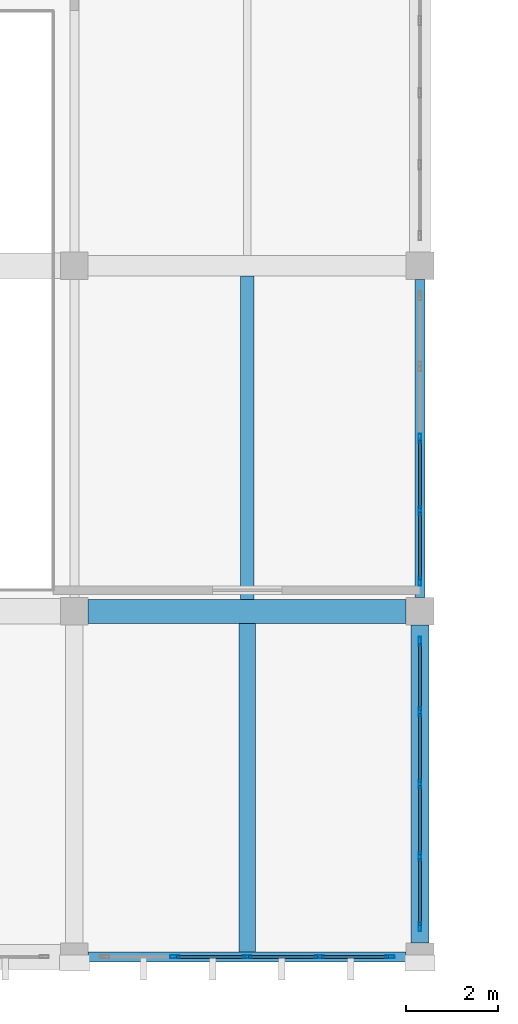
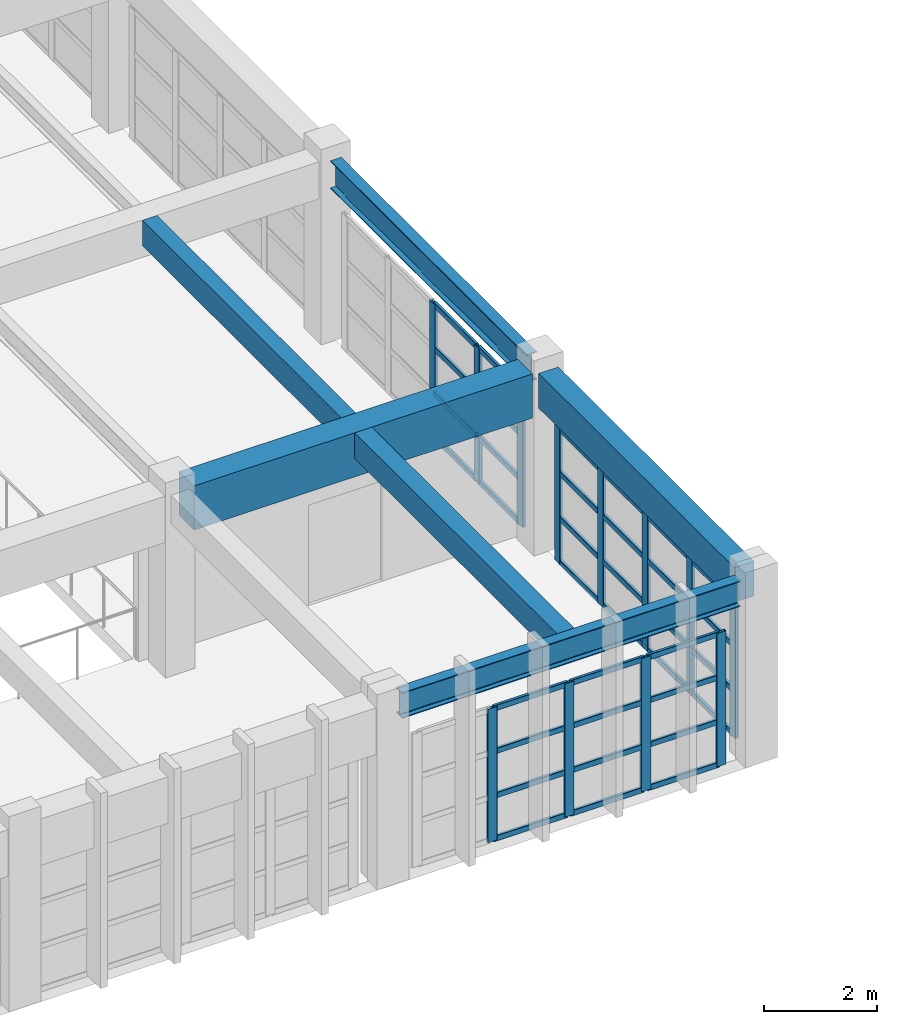
# One storey, part 7 of 124: 48 members, 6 beams, 3 elements without a shape of their own.
"""IFC4 building model written with IfcOpenShell, lengths in metres."""

import ifcopenshell
import ifcopenshell.guid

model = None  # the IFC model being written
_history = None  # IfcOwnerHistory: only IFC2X3 demands one
_inside = {}  # id of a spatial element -> (the spatial element, [elements in it])
_under = {}  # id of a project, library or spatial element -> (it, [spatial elements below it])
_declared = {}  # id of a project -> (the project, [libraries it declares])
_typed = {}  # id of a type object -> (the type object, [elements of that type])
_made_of = {}  # id of a material, layer set ... -> (it, [elements and type objects made of it])


def new_model(schema):
    """Start an empty IFC model of exactly this schema.

    Asked for "IFC4X3", IfcOpenShell would pick the latest addendum, in which some entities
    have other attributes; the version numbers below select the first issue.
    IFC2X3 requires an IfcOwnerHistory on every rooted entity: one is made here for all.
    """
    global model, _history
    if schema == "IFC4X3":
        model = ifcopenshell.file(schema_version=(4, 3, 0, 0))
    else:
        model = ifcopenshell.file(schema=schema)
    _inside.clear()
    _under.clear()
    _declared.clear()
    _typed.clear()
    _made_of.clear()
    _history = None
    if model.schema == "IFC2X3":
        org = make("IfcOrganization", Name="unknown")
        user = make(
            "IfcPersonAndOrganization",
            ThePerson=make("IfcPerson", FamilyName="unknown"),
            TheOrganization=org,
        )
        app = make(
            "IfcApplication",
            ApplicationDeveloper=org,
            Version="unknown",
            ApplicationFullName="unknown",
            ApplicationIdentifier="unknown",
        )
        _history = make(
            "IfcOwnerHistory",
            OwningUser=user,
            OwningApplication=app,
            ChangeAction="ADDED",
            CreationDate=0,
        )
    return model


def make(cls, **values):
    """One entity of the class cls with the attributes given. An attribute that is None is left unset."""
    return model.create_entity(
        cls, **{name: value for name, value in values.items() if value is not None}
    )


def rooted(cls, **values):
    """An entity with a GlobalId (a new one), such as an element, a storey or a relation."""
    return make(cls, GlobalId=ifcopenshell.guid.new(), OwnerHistory=_history, **values)


def si_unit(unit_type, name, prefix=None):
    """IfcSIUnit, for example si_unit("LENGTHUNIT", "METRE", prefix="MILLI")."""
    return make("IfcSIUnit", UnitType=unit_type, Prefix=prefix, Name=name)


def assignment(units):
    """IfcUnitAssignment: the units of a project."""
    return None if units is None else make("IfcUnitAssignment", Units=units)


def point(xyz):
    """IfcCartesianPoint."""
    return None if xyz is None else make("IfcCartesianPoint", Coordinates=xyz)


def direction(xyz):
    """IfcDirection."""
    return None if xyz is None else make("IfcDirection", DirectionRatios=xyz)


def frame(location, z_axis=None, x_axis=None):
    """IfcAxis2Placement3D, a coordinate frame: its origin and axes. An axis left out is left unset."""
    return make(
        "IfcAxis2Placement3D",
        Location=point(location),
        Axis=direction(z_axis),
        RefDirection=direction(x_axis),
    )


def frame_2d(location, x_axis=None):
    """IfcAxis2Placement2D, a coordinate frame in the plane: its origin and x axis."""
    return make(
        "IfcAxis2Placement2D", Location=point(location), RefDirection=direction(x_axis)
    )


def origin():
    """The frame at (0, 0, 0) with its axes left unset."""
    return frame((0.0, 0.0, 0.0))


def origin_2d():
    """The frame at (0, 0) in the plane with its x axis left unset."""
    return frame_2d((0.0, 0.0))


def place(relative_to, where):
    """IfcLocalPlacement: puts the frame where relative to a parent placement (None: the world)."""
    return make(
        "IfcLocalPlacement", PlacementRelTo=relative_to, RelativePlacement=where
    )


def context(
    kind, dimensions, precision=None, world=None, true_north=None, identifier=None
):
    """IfcGeometricRepresentationContext, for example the 3D "Model" context."""
    return make(
        "IfcGeometricRepresentationContext",
        ContextIdentifier=identifier,
        ContextType=kind,
        CoordinateSpaceDimension=dimensions,
        Precision=precision,
        WorldCoordinateSystem=world,
        TrueNorth=true_north,
    )


def subcontext(parent, identifier, kind, view, scale=None):
    """IfcGeometricRepresentationSubContext, for example "Body" below "Model"."""
    return make(
        "IfcGeometricRepresentationSubContext",
        ContextIdentifier=identifier,
        ContextType=kind,
        ParentContext=parent,
        TargetScale=scale,
        TargetView=view,
    )


def project(units=None, contexts=None):
    """IfcProject with its units and contexts."""
    return rooted(
        "IfcProject",
        Name="project",
        RepresentationContexts=contexts,
        UnitsInContext=assignment(units),
    )


def spatial(cls, under=None, at=None, **own):
    """A site, building, storey or space (cls), placed at a placement, below another one or the project."""
    s = rooted(cls, ObjectPlacement=at, **own)
    if under is not None:
        _under.setdefault(under.id(), (under, []))[1].append(s)
    return s


def profile(cls, at=None, kind="AREA", **sizes):
    """A parametric profile (cls). Its sizes go by their IFC names, for example OverallWidth=200.0."""
    return make(cls, ProfileType=kind, Position=at, **sizes)


def rectangle(**sizes):
    """IfcRectangleProfileDef."""
    return profile("IfcRectangleProfileDef", **sizes)


def hollow_rectangle(**sizes):
    """IfcRectangleHollowProfileDef."""
    return profile("IfcRectangleHollowProfileDef", **sizes)


def i_section(**sizes):
    """IfcIShapeProfileDef."""
    return profile("IfcIShapeProfileDef", **sizes)


def extrude(swept, where, along, depth):
    """IfcExtrudedAreaSolid: the profile swept, set in the frame where, extruded along a direction by depth."""
    return make(
        "IfcExtrudedAreaSolid",
        SweptArea=swept,
        Position=where,
        ExtrudedDirection=direction(along),
        Depth=depth,
    )


def shape(context_of_items, identifier, shape_type, items):
    """IfcShapeRepresentation: the items that make up one representation, for example the "Body"."""
    return make(
        "IfcShapeRepresentation",
        ContextOfItems=context_of_items,
        RepresentationIdentifier=identifier,
        RepresentationType=shape_type,
        Items=items,
    )


def material(Name=None, Category=None):
    """IfcMaterial."""
    return make("IfcMaterial", Name=Name, Category=Category)


def material_profile(
    of_material, cross_section, Name=None, Category=None, Priority=None
):
    """IfcMaterialProfile: a cross section and its material."""
    return make(
        "IfcMaterialProfile",
        Name=Name,
        Material=of_material,
        Profile=cross_section,
        Priority=Priority,
        Category=Category,
    )


def profile_set(profiles, Name=None, composite=None):
    """IfcMaterialProfileSet."""
    return make(
        "IfcMaterialProfileSet",
        Name=Name,
        MaterialProfiles=profiles,
        CompositeProfile=composite,
    )


def made_of(thing, what):
    """Note that an element or type object is made of a material, layer set ...; save() writes the relation."""
    if what is not None:
        _made_of.setdefault(what.id(), (what, []))[1].append(thing)
    return thing


def type_object(cls, material=None, **own):
    """A type object (cls), such as IfcWallType, which elements share."""
    return made_of(rooted(cls, **own), material)


def element(
    cls,
    number,
    at=None,
    inside=None,
    cuts=None,
    type_object=None,
    material=None,
    context=None,
    identifier="Body",
    shape_type=None,
    held_by="IfcProductDefinitionShape",
    body=None,
    shapes=None,
    **own,
):
    """One element of the class cls, such as IfcWall. Its Tag is "e" and its number.

    at: its placement. inside: the storey or other place that contains it. cuts: it is an
    opening in that element (IfcRelVoidsElement). A single representation is given by context,
    identifier, shape_type and body (its items); several are given by shapes. held_by: the class
    of the entity that holds the representations. save() writes the other relations.
    """
    e = rooted(cls, Tag="e%d" % number, ObjectPlacement=at, **own)
    if body is not None:
        shapes = [shape(context, identifier, shape_type, body)]
    if shapes is not None:
        e.Representation = make(held_by, Representations=shapes)
    if inside is not None:
        _inside.setdefault(inside.id(), (inside, []))[1].append(e)
    if cuts is not None:
        rooted(
            "IfcRelVoidsElement", RelatingBuildingElement=cuts, RelatedOpeningElement=e
        )
    if type_object is not None:
        _typed.setdefault(type_object.id(), (type_object, []))[1].append(e)
    return made_of(e, material)


def aggregate(whole, parts):
    """IfcRelAggregates: a whole, such as a stair, and the parts it consists of."""
    return rooted("IfcRelAggregates", RelatingObject=whole, RelatedObjects=parts)


def save(model, path):
    """Write the relations noted so far, then the file.

    IfcRelAggregates (storeys below a building ...), IfcRelContainedInSpatialStructure (elements
    in a storey), IfcRelDefinesByType, IfcRelAssociatesMaterial and IfcRelDeclares: one each for
    every whole, place, type object, material and project.
    """
    for whole, parts in _under.values():
        aggregate(whole, parts)
    for where, things in _inside.values():
        rooted(
            "IfcRelContainedInSpatialStructure",
            RelatedElements=things,
            RelatingStructure=where,
        )
    for kind, things in _typed.values():
        rooted("IfcRelDefinesByType", RelatedObjects=things, RelatingType=kind)
    for what, things in _made_of.values():
        rooted("IfcRelAssociatesMaterial", RelatedObjects=things, RelatingMaterial=what)
    for by, libraries in _declared.values():
        rooted("IfcRelDeclares", RelatingContext=by, RelatedDefinitions=libraries)
    model.write(path)


model = new_model("IFC4")

# Units and contexts
model_context = context("Model", 3, precision=1e-05, world=origin(), true_north=direction((0.0, 1.0)))
body_context = subcontext(model_context, "Body", "Model", "MODEL_VIEW")
ifc_project = project(units=[si_unit("LENGTHUNIT", "METRE"), si_unit("AREAUNIT", "SQUARE_METRE"), si_unit("VOLUMEUNIT", "CUBIC_METRE"), si_unit("PLANEANGLEUNIT", "RADIAN"), si_unit("MASSUNIT", "GRAM", prefix="KILO")], contexts=[model_context])

# Site, building, storey
site_placement = place(None, origin())
site = spatial("IfcSite", under=ifc_project, at=site_placement, CompositionType="ELEMENT")
building_placement = place(site_placement, origin())
building = spatial("IfcBuilding", under=site, at=building_placement, Name="Qasida Concert Hall", CompositionType="ELEMENT")
storey_placement = place(building_placement, frame((0.0, 0.0, 9.0)))
storey = spatial("IfcBuildingStorey", under=building, at=storey_placement, Name="L02", CompositionType="ELEMENT", Elevation=9.0)

# Beams
ifc_material_1 = material(Name="Concrete C40/50", Category="concrete")
ifc_material_profile_1 = material_profile(ifc_material_1, rectangle(XDim=0.52001953125, YDim=0.949951171875, at=origin_2d()), Name="RC 520x950")
ifc_profile_set_1 = profile_set([ifc_material_profile_1], Name="Concrete C40/50")
beam_type_1 = type_object("IfcBeamType", Name="BM-G7", PredefinedType="USERDEFINED", material=ifc_profile_set_1)
beam_1_placement = place(storey_placement, frame((30.300048828125, 7.5, 3.425048828125), z_axis=(1.0, 0.0, 0.0), x_axis=(0.0, 1.0, 0.0)))
element("IfcBeam", 1, at=beam_1_placement, inside=storey, type_object=beam_type_1, Name="Primary girder 1274", ObjectType="GIRDER", PredefinedType="USERDEFINED", context=body_context, shape_type="SweptSolid", body=[
    extrude(rectangle(XDim=0.52001953125, YDim=0.949951171875, at=origin_2d()), origin(), (0.0, 0.0, 1.0), 6.89990234375),
])
ifc_material_profile_2 = material_profile(ifc_material_1, rectangle(XDim=0.300048828125, YDim=0.550048828125, at=origin_2d()), Name="RC 300x550")
ifc_profile_set_2 = profile_set([ifc_material_profile_2], Name="Concrete C40/50")
beam_type_2 = type_object("IfcBeamType", Name="BM-J1", PredefinedType="JOIST", material=ifc_profile_set_2)
beam_2_placement = place(storey_placement, frame((33.75, 7.760009765625, 3.625), z_axis=(0.0, 1.0, 0.0), x_axis=(-1.0, 0.0, 0.0)))
element("IfcBeam", 2, at=beam_2_placement, inside=storey, type_object=beam_type_2, Name="L02 secondary joist 1344", PredefinedType="JOIST", context=body_context, shape_type="SweptSolid", body=[
    extrude(rectangle(XDim=0.300048828125, YDim=0.550048828125, at=origin_2d()), origin(), (0.0, 0.0, 1.0), 7.014892578125),
])
ifc_material_profile_3 = material_profile(ifc_material_1, rectangle(XDim=0.35009765625, YDim=0.550048828125, at=origin_2d()), Name="RC 350x550")
ifc_profile_set_3 = profile_set([ifc_material_profile_3], Name="Concrete C40/50")
beam_type_3 = type_object("IfcBeamType", Name="BM-J8", PredefinedType="JOIST", material=ifc_profile_set_3)
beam_3_placement = place(storey_placement, frame((33.75, 0.10498046875, 3.625), z_axis=(0.0, 1.0, 0.0), x_axis=(-1.0, 0.0, 0.0)))
element("IfcBeam", 3, at=beam_3_placement, inside=storey, type_object=beam_type_3, Name="L02 secondary joist 1343", PredefinedType="JOIST", context=body_context, shape_type="SweptSolid", body=[
    extrude(rectangle(XDim=0.35009765625, YDim=0.550048828125, at=origin_2d()), origin(), (0.0, 0.0, 1.0), 7.135009765625),
])
ifc_material_profile_4 = material_profile(ifc_material_1, rectangle(XDim=0.39990234375, YDim=0.75, at=origin_2d()), Name="RC 400x750")
ifc_profile_set_4 = profile_set([ifc_material_profile_4], Name="Concrete C40/50")
beam_type_4 = type_object("IfcBeamType", Name="BM-SP1", PredefinedType="SPANDREL", material=ifc_profile_set_4)
beam_4_placement = place(storey_placement, frame((37.5, 0.300048828125, 3.52490234375), z_axis=(0.0, 1.0, 0.0), x_axis=(-1.0, 0.0, 0.0)))
element("IfcBeam", 4, at=beam_4_placement, inside=storey, type_object=beam_type_4, Name="L02 girder 1314", PredefinedType="SPANDREL", context=body_context, shape_type="SweptSolid", body=[
    extrude(rectangle(XDim=0.39990234375, YDim=0.75, at=origin_2d()), origin(), (0.0, 0.0, 1.0), 6.89990234375),
])
ifc_material_2 = material(Name="Steel S355J2", Category="steel")
ifc_material_profile_5 = material_profile(ifc_material_2, i_section(OverallWidth=0.2099609375, OverallDepth=0.550048828125, WebThickness=0.010986328125, FlangeThickness=0.01708984375, FilletRadius=0.02392578125, at=origin_2d()), Name="IPE 550")
ifc_profile_set_5 = profile_set([ifc_material_profile_5], Name="Steel S355J2")
beam_type_5 = type_object("IfcBeamType", Name="BM-SP2", PredefinedType="SPANDREL", material=ifc_profile_set_5)
beam_5_placement = place(storey_placement, frame((30.300048828125, 0.0, 3.625), z_axis=(1.0, 0.0, 0.0), x_axis=(0.0, 1.0, 0.0)))
element("IfcBeam", 5, at=beam_5_placement, inside=storey, type_object=beam_type_5, Name="Primary girder 1271", PredefinedType="SPANDREL", context=body_context, shape_type="SweptSolid", body=[
    extrude(i_section(OverallWidth=0.2099609375, OverallDepth=0.550048828125, WebThickness=0.010986328125, FlangeThickness=0.01708984375, FilletRadius=0.02392578125, at=origin_2d()), origin(), (0.0, 0.0, 1.0), 6.89990234375),
])
ifc_material_profile_6 = material_profile(ifc_material_2, i_section(OverallWidth=0.219970703125, OverallDepth=0.60009765625, WebThickness=0.011962890625, FlangeThickness=0.01904296875, FilletRadius=0.02392578125, at=origin_2d()), Name="IPE 600")
ifc_profile_set_6 = profile_set([ifc_material_profile_6], Name="Steel S355J2")
beam_type_6 = type_object("IfcBeamType", Name="BM-SP3", PredefinedType="SPANDREL", material=ifc_profile_set_6)
beam_6_placement = place(storey_placement, frame((37.5, 7.800048828125, 3.60009765625), z_axis=(0.0, 1.0, 0.0), x_axis=(-1.0, 0.0, 0.0)))
element("IfcBeam", 6, at=beam_6_placement, inside=storey, type_object=beam_type_6, Name="L02 girder 1315", PredefinedType="SPANDREL", context=body_context, shape_type="SweptSolid", body=[
    extrude(i_section(OverallWidth=0.219970703125, OverallDepth=0.60009765625, WebThickness=0.011962890625, FlangeThickness=0.01904296875, FilletRadius=0.02392578125, at=origin_2d()), origin(), (0.0, 0.0, 1.0), 6.89990234375),
])

# Curtain wall, members
ifc_material_3 = material(Name="Architectural bronze-anodized aluminium and low-E glass", Category="aluminium")
curtain_wall_type = type_object("IfcCurtainWallType", Name="CW-08", PredefinedType="NOTDEFINED", material=ifc_material_3)
curtain_wall_1_placement = place(storey_placement, origin())
curtain_wall_1 = element("IfcCurtainWall", 7, at=curtain_wall_1_placement, inside=storey, type_object=curtain_wall_type, Name="L02 curtain wall CW-08 0107", PredefinedType="NOTDEFINED")
ifc_material_4 = material(Name="Architectural bronze-anodized aluminium EN AW-6063", Category="aluminium")
ifc_material_profile_7 = material_profile(ifc_material_4, hollow_rectangle(XDim=0.06494140625, YDim=0.199951171875, WallThickness=0.0048828125, InnerFilletRadius=0.0048828125, OuterFilletRadius=0.010009765625, at=origin_2d()), Name="CWM 200x65x5")
ifc_profile_set_7 = profile_set([ifc_material_profile_7], Name="Architectural bronze-anodized aluminium EN AW-6063")
member_type_1 = type_object("IfcMemberType", Name="MB-CWM-2", PredefinedType="MULLION", material=ifc_profile_set_7)
member_1_placement = place(storey_placement, frame((32.18505859375, 0.0, 0.0), z_axis=(0.0, 0.0, 1.0), x_axis=(0.0, 1.0, 0.0)))
member_1 = element("IfcMember", 8, at=member_1_placement, type_object=member_type_1, Name="CW-08 mullion 2", PredefinedType="MULLION", context=body_context, shape_type="SweptSolid", body=[
    extrude(hollow_rectangle(XDim=0.06494140625, YDim=0.199951171875, WallThickness=0.0048828125, InnerFilletRadius=0.0048828125, OuterFilletRadius=0.010009765625, at=origin_2d()), origin(), (0.0, 0.0, 1.0), 2.8701171875),
])
member_2_placement = place(storey_placement, frame((33.75, 0.0, 0.0), z_axis=(0.0, 0.0, 1.0), x_axis=(0.0, 1.0, 0.0)))
member_2 = element("IfcMember", 9, at=member_2_placement, type_object=member_type_1, Name="CW-08 mullion 3", PredefinedType="MULLION", context=body_context, shape_type="SweptSolid", body=[
    extrude(hollow_rectangle(XDim=0.06494140625, YDim=0.199951171875, WallThickness=0.0048828125, InnerFilletRadius=0.0048828125, OuterFilletRadius=0.010009765625, at=origin_2d()), origin(), (0.0, 0.0, 1.0), 2.8701171875),
])
member_3_placement = place(storey_placement, frame((35.31494140625, 0.0, 0.0), z_axis=(0.0, 0.0, 1.0), x_axis=(0.0, 1.0, 0.0)))
member_3 = element("IfcMember", 10, at=member_3_placement, type_object=member_type_1, Name="CW-08 mullion 4", PredefinedType="MULLION", context=body_context, shape_type="SweptSolid", body=[
    extrude(hollow_rectangle(XDim=0.06494140625, YDim=0.199951171875, WallThickness=0.0048828125, InnerFilletRadius=0.0048828125, OuterFilletRadius=0.010009765625, at=origin_2d()), origin(), (0.0, 0.0, 1.0), 2.8701171875),
])
member_4_placement = place(storey_placement, frame((36.847412109375, 0.0, 0.0), z_axis=(0.0, 0.0, 1.0), x_axis=(0.0, 1.0, 0.0)))
member_4 = element("IfcMember", 11, at=member_4_placement, type_object=member_type_1, Name="CW-08 mullion 5", PredefinedType="MULLION", context=body_context, shape_type="SweptSolid", body=[
    extrude(hollow_rectangle(XDim=0.06494140625, YDim=0.199951171875, WallThickness=0.0048828125, InnerFilletRadius=0.0048828125, OuterFilletRadius=0.010009765625, at=origin_2d()), origin(), (0.0, 0.0, 1.0), 2.8701171875),
])

curtain_wall_2_placement = place(storey_placement, origin())
curtain_wall_2 = element("IfcCurtainWall", 12, at=curtain_wall_2_placement, inside=storey, type_object=curtain_wall_type, Name="L02 curtain wall CW-08 0109", PredefinedType="NOTDEFINED")
member_5_placement = place(storey_placement, frame((37.5, 0.652587890625, 0.0), z_axis=(0.0, 0.0, 1.0), x_axis=(-1.0, 0.0, 0.0)))
member_5 = element("IfcMember", 13, at=member_5_placement, type_object=member_type_1, Name="CW-08 mullion 1", PredefinedType="MULLION", context=body_context, shape_type="SweptSolid", body=[
    extrude(hollow_rectangle(XDim=0.06494140625, YDim=0.199951171875, WallThickness=0.0048828125, InnerFilletRadius=0.0048828125, OuterFilletRadius=0.010009765625, at=origin_2d()), origin(), (0.0, 0.0, 1.0), 2.919921875),
])
member_6_placement = place(storey_placement, frame((37.5, 2.18505859375, 0.0), z_axis=(0.0, 0.0, 1.0), x_axis=(-1.0, 0.0, 0.0)))
member_6 = element("IfcMember", 14, at=member_6_placement, type_object=member_type_1, Name="CW-08 mullion 2", PredefinedType="MULLION", context=body_context, shape_type="SweptSolid", body=[
    extrude(hollow_rectangle(XDim=0.06494140625, YDim=0.199951171875, WallThickness=0.0048828125, InnerFilletRadius=0.0048828125, OuterFilletRadius=0.010009765625, at=origin_2d()), origin(), (0.0, 0.0, 1.0), 2.919921875),
])
member_7_placement = place(storey_placement, frame((37.5, 3.75, 0.0), z_axis=(0.0, 0.0, 1.0), x_axis=(-1.0, 0.0, 0.0)))
member_7 = element("IfcMember", 15, at=member_7_placement, type_object=member_type_1, Name="CW-08 mullion 3", PredefinedType="MULLION", context=body_context, shape_type="SweptSolid", body=[
    extrude(hollow_rectangle(XDim=0.06494140625, YDim=0.199951171875, WallThickness=0.0048828125, InnerFilletRadius=0.0048828125, OuterFilletRadius=0.010009765625, at=origin_2d()), origin(), (0.0, 0.0, 1.0), 2.919921875),
])
member_8_placement = place(storey_placement, frame((37.5, 5.31494140625, 0.0), z_axis=(0.0, 0.0, 1.0), x_axis=(-1.0, 0.0, 0.0)))
member_8 = element("IfcMember", 16, at=member_8_placement, type_object=member_type_1, Name="CW-08 mullion 4", PredefinedType="MULLION", context=body_context, shape_type="SweptSolid", body=[
    extrude(hollow_rectangle(XDim=0.06494140625, YDim=0.199951171875, WallThickness=0.0048828125, InnerFilletRadius=0.0048828125, OuterFilletRadius=0.010009765625, at=origin_2d()), origin(), (0.0, 0.0, 1.0), 2.919921875),
])
member_9_placement = place(storey_placement, frame((37.5, 6.847412109375, 0.0), z_axis=(0.0, 0.0, 1.0), x_axis=(-1.0, 0.0, 0.0)))
member_9 = element("IfcMember", 17, at=member_9_placement, type_object=member_type_1, Name="CW-08 mullion 5", PredefinedType="MULLION", context=body_context, shape_type="SweptSolid", body=[
    extrude(hollow_rectangle(XDim=0.06494140625, YDim=0.199951171875, WallThickness=0.0048828125, InnerFilletRadius=0.0048828125, OuterFilletRadius=0.010009765625, at=origin_2d()), origin(), (0.0, 0.0, 1.0), 2.919921875),
])

curtain_wall_3_placement = place(storey_placement, origin())
curtain_wall_3 = element("IfcCurtainWall", 18, at=curtain_wall_3_placement, inside=storey, type_object=curtain_wall_type, Name="L02 curtain wall CW-08 0111", PredefinedType="NOTDEFINED")
member_10_placement = place(storey_placement, frame((37.5, 8.152587890625, 0.0), z_axis=(0.0, 0.0, 1.0), x_axis=(-1.0, 0.0, 0.0)))
member_10 = element("IfcMember", 19, at=member_10_placement, type_object=member_type_1, Name="CW-08 mullion 1", PredefinedType="MULLION", context=body_context, shape_type="SweptSolid", body=[
    extrude(hollow_rectangle(XDim=0.06494140625, YDim=0.199951171875, WallThickness=0.0048828125, InnerFilletRadius=0.0048828125, OuterFilletRadius=0.010009765625, at=origin_2d()), origin(), (0.0, 0.0, 1.0), 2.919921875),
])
member_11_placement = place(storey_placement, frame((37.5, 9.68505859375, 0.0), z_axis=(0.0, 0.0, 1.0), x_axis=(-1.0, 0.0, 0.0)))
member_11 = element("IfcMember", 20, at=member_11_placement, type_object=member_type_1, Name="CW-08 mullion 2", PredefinedType="MULLION", context=body_context, shape_type="SweptSolid", body=[
    extrude(hollow_rectangle(XDim=0.06494140625, YDim=0.199951171875, WallThickness=0.0048828125, InnerFilletRadius=0.0048828125, OuterFilletRadius=0.010009765625, at=origin_2d()), origin(), (0.0, 0.0, 1.0), 2.919921875),
])
member_12_placement = place(storey_placement, frame((37.5, 11.25, 0.0), z_axis=(0.0, 0.0, 1.0), x_axis=(-1.0, 0.0, 0.0)))
member_12 = element("IfcMember", 21, at=member_12_placement, type_object=member_type_1, Name="CW-08 mullion 3", PredefinedType="MULLION", context=body_context, shape_type="SweptSolid", body=[
    extrude(hollow_rectangle(XDim=0.06494140625, YDim=0.199951171875, WallThickness=0.0048828125, InnerFilletRadius=0.0048828125, OuterFilletRadius=0.010009765625, at=origin_2d()), origin(), (0.0, 0.0, 1.0), 2.919921875),
])

# Member
ifc_material_profile_8 = material_profile(ifc_material_4, hollow_rectangle(XDim=0.06005859375, YDim=0.1201171875, WallThickness=0.00390625, InnerFilletRadius=0.00390625, OuterFilletRadius=0.008056640625, at=origin_2d()), Name="CWT 120x60x4")
ifc_profile_set_8 = profile_set([ifc_material_profile_8], Name="Architectural bronze-anodized aluminium EN AW-6063")
member_type_2 = type_object("IfcMemberType", Name="MB-CWT-2", PredefinedType="USERDEFINED", material=ifc_profile_set_8)
member_13_placement = place(storey_placement, frame((32.217529296875, 0.0, 0.030029296875), z_axis=(1.0, 0.0, 0.0), x_axis=(0.0, 1.0, 0.0)))
member_13 = element("IfcMember", 22, at=member_13_placement, type_object=member_type_2, Name="CW-08 transom 2.1", ObjectType="TRANSOM", PredefinedType="USERDEFINED", context=body_context, shape_type="SweptSolid", body=[
    extrude(hollow_rectangle(XDim=0.06005859375, YDim=0.1201171875, WallThickness=0.00390625, InnerFilletRadius=0.00390625, OuterFilletRadius=0.008056640625, at=origin_2d()), origin(), (0.0, 0.0, 1.0), 1.5),
])

member_14_placement = place(storey_placement, frame((32.217529296875, 0.0, 0.956787109375), z_axis=(1.0, 0.0, 0.0), x_axis=(0.0, 1.0, 0.0)))
member_14 = element("IfcMember", 23, at=member_14_placement, type_object=member_type_2, Name="CW-08 transom 2.2", ObjectType="TRANSOM", PredefinedType="USERDEFINED", context=body_context, shape_type="SweptSolid", body=[
    extrude(hollow_rectangle(XDim=0.06005859375, YDim=0.1201171875, WallThickness=0.00390625, InnerFilletRadius=0.00390625, OuterFilletRadius=0.008056640625, at=origin_2d()), origin(), (0.0, 0.0, 1.0), 1.5),
])

member_15_placement = place(storey_placement, frame((32.217529296875, 0.0, 1.913330078125), z_axis=(1.0, 0.0, 0.0), x_axis=(0.0, 1.0, 0.0)))
member_15 = element("IfcMember", 24, at=member_15_placement, type_object=member_type_2, Name="CW-08 transom 2.3", ObjectType="TRANSOM", PredefinedType="USERDEFINED", context=body_context, shape_type="SweptSolid", body=[
    extrude(hollow_rectangle(XDim=0.06005859375, YDim=0.1201171875, WallThickness=0.00390625, InnerFilletRadius=0.00390625, OuterFilletRadius=0.008056640625, at=origin_2d()), origin(), (0.0, 0.0, 1.0), 1.5),
])

member_16_placement = place(storey_placement, frame((32.217529296875, 0.0, 2.840087890625), z_axis=(1.0, 0.0, 0.0), x_axis=(0.0, 1.0, 0.0)))
member_16 = element("IfcMember", 25, at=member_16_placement, type_object=member_type_2, Name="CW-08 transom 2.4", ObjectType="TRANSOM", PredefinedType="USERDEFINED", context=body_context, shape_type="SweptSolid", body=[
    extrude(hollow_rectangle(XDim=0.06005859375, YDim=0.1201171875, WallThickness=0.00390625, InnerFilletRadius=0.00390625, OuterFilletRadius=0.008056640625, at=origin_2d()), origin(), (0.0, 0.0, 1.0), 1.5),
])

member_17_placement = place(storey_placement, frame((33.782470703125, 0.0, 0.030029296875), z_axis=(1.0, 0.0, 0.0), x_axis=(0.0, 1.0, 0.0)))
member_17 = element("IfcMember", 26, at=member_17_placement, type_object=member_type_2, Name="CW-08 transom 3.1", ObjectType="TRANSOM", PredefinedType="USERDEFINED", context=body_context, shape_type="SweptSolid", body=[
    extrude(hollow_rectangle(XDim=0.06005859375, YDim=0.1201171875, WallThickness=0.00390625, InnerFilletRadius=0.00390625, OuterFilletRadius=0.008056640625, at=origin_2d()), origin(), (0.0, 0.0, 1.0), 1.5),
])

member_18_placement = place(storey_placement, frame((33.782470703125, 0.0, 0.956787109375), z_axis=(1.0, 0.0, 0.0), x_axis=(0.0, 1.0, 0.0)))
member_18 = element("IfcMember", 27, at=member_18_placement, type_object=member_type_2, Name="CW-08 transom 3.2", ObjectType="TRANSOM", PredefinedType="USERDEFINED", context=body_context, shape_type="SweptSolid", body=[
    extrude(hollow_rectangle(XDim=0.06005859375, YDim=0.1201171875, WallThickness=0.00390625, InnerFilletRadius=0.00390625, OuterFilletRadius=0.008056640625, at=origin_2d()), origin(), (0.0, 0.0, 1.0), 1.5),
])

member_19_placement = place(storey_placement, frame((33.782470703125, 0.0, 1.913330078125), z_axis=(1.0, 0.0, 0.0), x_axis=(0.0, 1.0, 0.0)))
member_19 = element("IfcMember", 28, at=member_19_placement, type_object=member_type_2, Name="CW-08 transom 3.3", ObjectType="TRANSOM", PredefinedType="USERDEFINED", context=body_context, shape_type="SweptSolid", body=[
    extrude(hollow_rectangle(XDim=0.06005859375, YDim=0.1201171875, WallThickness=0.00390625, InnerFilletRadius=0.00390625, OuterFilletRadius=0.008056640625, at=origin_2d()), origin(), (0.0, 0.0, 1.0), 1.5),
])

member_20_placement = place(storey_placement, frame((33.782470703125, 0.0, 2.840087890625), z_axis=(1.0, 0.0, 0.0), x_axis=(0.0, 1.0, 0.0)))
member_20 = element("IfcMember", 29, at=member_20_placement, type_object=member_type_2, Name="CW-08 transom 3.4", ObjectType="TRANSOM", PredefinedType="USERDEFINED", context=body_context, shape_type="SweptSolid", body=[
    extrude(hollow_rectangle(XDim=0.06005859375, YDim=0.1201171875, WallThickness=0.00390625, InnerFilletRadius=0.00390625, OuterFilletRadius=0.008056640625, at=origin_2d()), origin(), (0.0, 0.0, 1.0), 1.5),
])

member_21_placement = place(storey_placement, frame((35.347412109375, 0.0, 0.030029296875), z_axis=(1.0, 0.0, 0.0), x_axis=(0.0, 1.0, 0.0)))
member_21 = element("IfcMember", 30, at=member_21_placement, type_object=member_type_2, Name="CW-08 transom 4.1", ObjectType="TRANSOM", PredefinedType="USERDEFINED", context=body_context, shape_type="SweptSolid", body=[
    extrude(hollow_rectangle(XDim=0.06005859375, YDim=0.1201171875, WallThickness=0.00390625, InnerFilletRadius=0.00390625, OuterFilletRadius=0.008056640625, at=origin_2d()), origin(), (0.0, 0.0, 1.0), 1.467529296875),
])

member_22_placement = place(storey_placement, frame((35.347412109375, 0.0, 0.956787109375), z_axis=(1.0, 0.0, 0.0), x_axis=(0.0, 1.0, 0.0)))
member_22 = element("IfcMember", 31, at=member_22_placement, type_object=member_type_2, Name="CW-08 transom 4.2", ObjectType="TRANSOM", PredefinedType="USERDEFINED", context=body_context, shape_type="SweptSolid", body=[
    extrude(hollow_rectangle(XDim=0.06005859375, YDim=0.1201171875, WallThickness=0.00390625, InnerFilletRadius=0.00390625, OuterFilletRadius=0.008056640625, at=origin_2d()), origin(), (0.0, 0.0, 1.0), 1.467529296875),
])

member_23_placement = place(storey_placement, frame((35.347412109375, 0.0, 1.913330078125), z_axis=(1.0, 0.0, 0.0), x_axis=(0.0, 1.0, 0.0)))
member_23 = element("IfcMember", 32, at=member_23_placement, type_object=member_type_2, Name="CW-08 transom 4.3", ObjectType="TRANSOM", PredefinedType="USERDEFINED", context=body_context, shape_type="SweptSolid", body=[
    extrude(hollow_rectangle(XDim=0.06005859375, YDim=0.1201171875, WallThickness=0.00390625, InnerFilletRadius=0.00390625, OuterFilletRadius=0.008056640625, at=origin_2d()), origin(), (0.0, 0.0, 1.0), 1.467529296875),
])

member_24_placement = place(storey_placement, frame((35.347412109375, 0.0, 2.840087890625), z_axis=(1.0, 0.0, 0.0), x_axis=(0.0, 1.0, 0.0)))
member_24 = element("IfcMember", 33, at=member_24_placement, type_object=member_type_2, Name="CW-08 transom 4.4", ObjectType="TRANSOM", PredefinedType="USERDEFINED", context=body_context, shape_type="SweptSolid", body=[
    extrude(hollow_rectangle(XDim=0.06005859375, YDim=0.1201171875, WallThickness=0.00390625, InnerFilletRadius=0.00390625, OuterFilletRadius=0.008056640625, at=origin_2d()), origin(), (0.0, 0.0, 1.0), 1.467529296875),
])

aggregate(curtain_wall_1, [member_1, member_2, member_3, member_4, member_13, member_14, member_15, member_16, member_17, member_18, member_19, member_20, member_21, member_22, member_23, member_24])

member_25_placement = place(storey_placement, frame((37.5, 0.68505859375, 0.030029296875), z_axis=(0.0, 1.0, 0.0), x_axis=(-1.0, 0.0, 0.0)))
member_25 = element("IfcMember", 34, at=member_25_placement, type_object=member_type_2, Name="CW-08 transom 1.1", ObjectType="TRANSOM", PredefinedType="USERDEFINED", context=body_context, shape_type="SweptSolid", body=[
    extrude(hollow_rectangle(XDim=0.06005859375, YDim=0.1201171875, WallThickness=0.00390625, InnerFilletRadius=0.00390625, OuterFilletRadius=0.008056640625, at=origin_2d()), origin(), (0.0, 0.0, 1.0), 1.467529296875),
])

member_26_placement = place(storey_placement, frame((37.5, 0.68505859375, 0.973388671875), z_axis=(0.0, 1.0, 0.0), x_axis=(-1.0, 0.0, 0.0)))
member_26 = element("IfcMember", 35, at=member_26_placement, type_object=member_type_2, Name="CW-08 transom 1.2", ObjectType="TRANSOM", PredefinedType="USERDEFINED", context=body_context, shape_type="SweptSolid", body=[
    extrude(hollow_rectangle(XDim=0.06005859375, YDim=0.1201171875, WallThickness=0.00390625, InnerFilletRadius=0.00390625, OuterFilletRadius=0.008056640625, at=origin_2d()), origin(), (0.0, 0.0, 1.0), 1.467529296875),
])

member_27_placement = place(storey_placement, frame((37.5, 0.68505859375, 1.94677734375), z_axis=(0.0, 1.0, 0.0), x_axis=(-1.0, 0.0, 0.0)))
member_27 = element("IfcMember", 36, at=member_27_placement, type_object=member_type_2, Name="CW-08 transom 1.3", ObjectType="TRANSOM", PredefinedType="USERDEFINED", context=body_context, shape_type="SweptSolid", body=[
    extrude(hollow_rectangle(XDim=0.06005859375, YDim=0.1201171875, WallThickness=0.00390625, InnerFilletRadius=0.00390625, OuterFilletRadius=0.008056640625, at=origin_2d()), origin(), (0.0, 0.0, 1.0), 1.467529296875),
])

member_28_placement = place(storey_placement, frame((37.5, 0.68505859375, 2.889892578125), z_axis=(0.0, 1.0, 0.0), x_axis=(-1.0, 0.0, 0.0)))
member_28 = element("IfcMember", 37, at=member_28_placement, type_object=member_type_2, Name="CW-08 transom 1.4", ObjectType="TRANSOM", PredefinedType="USERDEFINED", context=body_context, shape_type="SweptSolid", body=[
    extrude(hollow_rectangle(XDim=0.06005859375, YDim=0.1201171875, WallThickness=0.00390625, InnerFilletRadius=0.00390625, OuterFilletRadius=0.008056640625, at=origin_2d()), origin(), (0.0, 0.0, 1.0), 1.467529296875),
])

member_29_placement = place(storey_placement, frame((37.5, 2.217529296875, 0.030029296875), z_axis=(0.0, 1.0, 0.0), x_axis=(-1.0, 0.0, 0.0)))
member_29 = element("IfcMember", 38, at=member_29_placement, type_object=member_type_2, Name="CW-08 transom 2.1", ObjectType="TRANSOM", PredefinedType="USERDEFINED", context=body_context, shape_type="SweptSolid", body=[
    extrude(hollow_rectangle(XDim=0.06005859375, YDim=0.1201171875, WallThickness=0.00390625, InnerFilletRadius=0.00390625, OuterFilletRadius=0.008056640625, at=origin_2d()), origin(), (0.0, 0.0, 1.0), 1.5),
])

member_30_placement = place(storey_placement, frame((37.5, 2.217529296875, 0.973388671875), z_axis=(0.0, 1.0, 0.0), x_axis=(-1.0, 0.0, 0.0)))
member_30 = element("IfcMember", 39, at=member_30_placement, type_object=member_type_2, Name="CW-08 transom 2.2", ObjectType="TRANSOM", PredefinedType="USERDEFINED", context=body_context, shape_type="SweptSolid", body=[
    extrude(hollow_rectangle(XDim=0.06005859375, YDim=0.1201171875, WallThickness=0.00390625, InnerFilletRadius=0.00390625, OuterFilletRadius=0.008056640625, at=origin_2d()), origin(), (0.0, 0.0, 1.0), 1.5),
])

member_31_placement = place(storey_placement, frame((37.5, 2.217529296875, 1.94677734375), z_axis=(0.0, 1.0, 0.0), x_axis=(-1.0, 0.0, 0.0)))
member_31 = element("IfcMember", 40, at=member_31_placement, type_object=member_type_2, Name="CW-08 transom 2.3", ObjectType="TRANSOM", PredefinedType="USERDEFINED", context=body_context, shape_type="SweptSolid", body=[
    extrude(hollow_rectangle(XDim=0.06005859375, YDim=0.1201171875, WallThickness=0.00390625, InnerFilletRadius=0.00390625, OuterFilletRadius=0.008056640625, at=origin_2d()), origin(), (0.0, 0.0, 1.0), 1.5),
])

member_32_placement = place(storey_placement, frame((37.5, 2.217529296875, 2.889892578125), z_axis=(0.0, 1.0, 0.0), x_axis=(-1.0, 0.0, 0.0)))
member_32 = element("IfcMember", 41, at=member_32_placement, type_object=member_type_2, Name="CW-08 transom 2.4", ObjectType="TRANSOM", PredefinedType="USERDEFINED", context=body_context, shape_type="SweptSolid", body=[
    extrude(hollow_rectangle(XDim=0.06005859375, YDim=0.1201171875, WallThickness=0.00390625, InnerFilletRadius=0.00390625, OuterFilletRadius=0.008056640625, at=origin_2d()), origin(), (0.0, 0.0, 1.0), 1.5),
])

member_33_placement = place(storey_placement, frame((37.5, 3.782470703125, 0.030029296875), z_axis=(0.0, 1.0, 0.0), x_axis=(-1.0, 0.0, 0.0)))
member_33 = element("IfcMember", 42, at=member_33_placement, type_object=member_type_2, Name="CW-08 transom 3.1", ObjectType="TRANSOM", PredefinedType="USERDEFINED", context=body_context, shape_type="SweptSolid", body=[
    extrude(hollow_rectangle(XDim=0.06005859375, YDim=0.1201171875, WallThickness=0.00390625, InnerFilletRadius=0.00390625, OuterFilletRadius=0.008056640625, at=origin_2d()), origin(), (0.0, 0.0, 1.0), 1.5),
])

member_34_placement = place(storey_placement, frame((37.5, 3.782470703125, 0.973388671875), z_axis=(0.0, 1.0, 0.0), x_axis=(-1.0, 0.0, 0.0)))
member_34 = element("IfcMember", 43, at=member_34_placement, type_object=member_type_2, Name="CW-08 transom 3.2", ObjectType="TRANSOM", PredefinedType="USERDEFINED", context=body_context, shape_type="SweptSolid", body=[
    extrude(hollow_rectangle(XDim=0.06005859375, YDim=0.1201171875, WallThickness=0.00390625, InnerFilletRadius=0.00390625, OuterFilletRadius=0.008056640625, at=origin_2d()), origin(), (0.0, 0.0, 1.0), 1.5),
])

member_35_placement = place(storey_placement, frame((37.5, 3.782470703125, 1.94677734375), z_axis=(0.0, 1.0, 0.0), x_axis=(-1.0, 0.0, 0.0)))
member_35 = element("IfcMember", 44, at=member_35_placement, type_object=member_type_2, Name="CW-08 transom 3.3", ObjectType="TRANSOM", PredefinedType="USERDEFINED", context=body_context, shape_type="SweptSolid", body=[
    extrude(hollow_rectangle(XDim=0.06005859375, YDim=0.1201171875, WallThickness=0.00390625, InnerFilletRadius=0.00390625, OuterFilletRadius=0.008056640625, at=origin_2d()), origin(), (0.0, 0.0, 1.0), 1.5),
])

member_36_placement = place(storey_placement, frame((37.5, 3.782470703125, 2.889892578125), z_axis=(0.0, 1.0, 0.0), x_axis=(-1.0, 0.0, 0.0)))
member_36 = element("IfcMember", 45, at=member_36_placement, type_object=member_type_2, Name="CW-08 transom 3.4", ObjectType="TRANSOM", PredefinedType="USERDEFINED", context=body_context, shape_type="SweptSolid", body=[
    extrude(hollow_rectangle(XDim=0.06005859375, YDim=0.1201171875, WallThickness=0.00390625, InnerFilletRadius=0.00390625, OuterFilletRadius=0.008056640625, at=origin_2d()), origin(), (0.0, 0.0, 1.0), 1.5),
])

member_37_placement = place(storey_placement, frame((37.5, 5.347412109375, 0.030029296875), z_axis=(0.0, 1.0, 0.0), x_axis=(-1.0, 0.0, 0.0)))
member_37 = element("IfcMember", 46, at=member_37_placement, type_object=member_type_2, Name="CW-08 transom 4.1", ObjectType="TRANSOM", PredefinedType="USERDEFINED", context=body_context, shape_type="SweptSolid", body=[
    extrude(hollow_rectangle(XDim=0.06005859375, YDim=0.1201171875, WallThickness=0.00390625, InnerFilletRadius=0.00390625, OuterFilletRadius=0.008056640625, at=origin_2d()), origin(), (0.0, 0.0, 1.0), 1.467529296875),
])

member_38_placement = place(storey_placement, frame((37.5, 5.347412109375, 0.973388671875), z_axis=(0.0, 1.0, 0.0), x_axis=(-1.0, 0.0, 0.0)))
member_38 = element("IfcMember", 47, at=member_38_placement, type_object=member_type_2, Name="CW-08 transom 4.2", ObjectType="TRANSOM", PredefinedType="USERDEFINED", context=body_context, shape_type="SweptSolid", body=[
    extrude(hollow_rectangle(XDim=0.06005859375, YDim=0.1201171875, WallThickness=0.00390625, InnerFilletRadius=0.00390625, OuterFilletRadius=0.008056640625, at=origin_2d()), origin(), (0.0, 0.0, 1.0), 1.467529296875),
])

member_39_placement = place(storey_placement, frame((37.5, 5.347412109375, 1.94677734375), z_axis=(0.0, 1.0, 0.0), x_axis=(-1.0, 0.0, 0.0)))
member_39 = element("IfcMember", 48, at=member_39_placement, type_object=member_type_2, Name="CW-08 transom 4.3", ObjectType="TRANSOM", PredefinedType="USERDEFINED", context=body_context, shape_type="SweptSolid", body=[
    extrude(hollow_rectangle(XDim=0.06005859375, YDim=0.1201171875, WallThickness=0.00390625, InnerFilletRadius=0.00390625, OuterFilletRadius=0.008056640625, at=origin_2d()), origin(), (0.0, 0.0, 1.0), 1.467529296875),
])

member_40_placement = place(storey_placement, frame((37.5, 5.347412109375, 2.889892578125), z_axis=(0.0, 1.0, 0.0), x_axis=(-1.0, 0.0, 0.0)))
member_40 = element("IfcMember", 49, at=member_40_placement, type_object=member_type_2, Name="CW-08 transom 4.4", ObjectType="TRANSOM", PredefinedType="USERDEFINED", context=body_context, shape_type="SweptSolid", body=[
    extrude(hollow_rectangle(XDim=0.06005859375, YDim=0.1201171875, WallThickness=0.00390625, InnerFilletRadius=0.00390625, OuterFilletRadius=0.008056640625, at=origin_2d()), origin(), (0.0, 0.0, 1.0), 1.467529296875),
])

aggregate(curtain_wall_2, [member_5, member_6, member_7, member_8, member_9, member_25, member_26, member_27, member_28, member_29, member_30, member_31, member_32, member_33, member_34, member_35, member_36, member_37, member_38, member_39, member_40])

member_41_placement = place(storey_placement, frame((37.5, 8.18505859375, 0.030029296875), z_axis=(0.0, 1.0, 0.0), x_axis=(-1.0, 0.0, 0.0)))
member_41 = element("IfcMember", 50, at=member_41_placement, type_object=member_type_2, Name="CW-08 transom 1.1", ObjectType="TRANSOM", PredefinedType="USERDEFINED", context=body_context, shape_type="SweptSolid", body=[
    extrude(hollow_rectangle(XDim=0.06005859375, YDim=0.1201171875, WallThickness=0.00390625, InnerFilletRadius=0.00390625, OuterFilletRadius=0.008056640625, at=origin_2d()), origin(), (0.0, 0.0, 1.0), 1.467529296875),
])

member_42_placement = place(storey_placement, frame((37.5, 8.18505859375, 0.973388671875), z_axis=(0.0, 1.0, 0.0), x_axis=(-1.0, 0.0, 0.0)))
member_42 = element("IfcMember", 51, at=member_42_placement, type_object=member_type_2, Name="CW-08 transom 1.2", ObjectType="TRANSOM", PredefinedType="USERDEFINED", context=body_context, shape_type="SweptSolid", body=[
    extrude(hollow_rectangle(XDim=0.06005859375, YDim=0.1201171875, WallThickness=0.00390625, InnerFilletRadius=0.00390625, OuterFilletRadius=0.008056640625, at=origin_2d()), origin(), (0.0, 0.0, 1.0), 1.467529296875),
])

member_43_placement = place(storey_placement, frame((37.5, 8.18505859375, 1.94677734375), z_axis=(0.0, 1.0, 0.0), x_axis=(-1.0, 0.0, 0.0)))
member_43 = element("IfcMember", 52, at=member_43_placement, type_object=member_type_2, Name="CW-08 transom 1.3", ObjectType="TRANSOM", PredefinedType="USERDEFINED", context=body_context, shape_type="SweptSolid", body=[
    extrude(hollow_rectangle(XDim=0.06005859375, YDim=0.1201171875, WallThickness=0.00390625, InnerFilletRadius=0.00390625, OuterFilletRadius=0.008056640625, at=origin_2d()), origin(), (0.0, 0.0, 1.0), 1.467529296875),
])

member_44_placement = place(storey_placement, frame((37.5, 8.18505859375, 2.889892578125), z_axis=(0.0, 1.0, 0.0), x_axis=(-1.0, 0.0, 0.0)))
member_44 = element("IfcMember", 53, at=member_44_placement, type_object=member_type_2, Name="CW-08 transom 1.4", ObjectType="TRANSOM", PredefinedType="USERDEFINED", context=body_context, shape_type="SweptSolid", body=[
    extrude(hollow_rectangle(XDim=0.06005859375, YDim=0.1201171875, WallThickness=0.00390625, InnerFilletRadius=0.00390625, OuterFilletRadius=0.008056640625, at=origin_2d()), origin(), (0.0, 0.0, 1.0), 1.467529296875),
])

member_45_placement = place(storey_placement, frame((37.5, 9.717529296875, 0.030029296875), z_axis=(0.0, 1.0, 0.0), x_axis=(-1.0, 0.0, 0.0)))
member_45 = element("IfcMember", 54, at=member_45_placement, type_object=member_type_2, Name="CW-08 transom 2.1", ObjectType="TRANSOM", PredefinedType="USERDEFINED", context=body_context, shape_type="SweptSolid", body=[
    extrude(hollow_rectangle(XDim=0.06005859375, YDim=0.1201171875, WallThickness=0.00390625, InnerFilletRadius=0.00390625, OuterFilletRadius=0.008056640625, at=origin_2d()), origin(), (0.0, 0.0, 1.0), 1.5),
])

member_46_placement = place(storey_placement, frame((37.5, 9.717529296875, 0.973388671875), z_axis=(0.0, 1.0, 0.0), x_axis=(-1.0, 0.0, 0.0)))
member_46 = element("IfcMember", 55, at=member_46_placement, type_object=member_type_2, Name="CW-08 transom 2.2", ObjectType="TRANSOM", PredefinedType="USERDEFINED", context=body_context, shape_type="SweptSolid", body=[
    extrude(hollow_rectangle(XDim=0.06005859375, YDim=0.1201171875, WallThickness=0.00390625, InnerFilletRadius=0.00390625, OuterFilletRadius=0.008056640625, at=origin_2d()), origin(), (0.0, 0.0, 1.0), 1.5),
])

member_47_placement = place(storey_placement, frame((37.5, 9.717529296875, 1.94677734375), z_axis=(0.0, 1.0, 0.0), x_axis=(-1.0, 0.0, 0.0)))
member_47 = element("IfcMember", 56, at=member_47_placement, type_object=member_type_2, Name="CW-08 transom 2.3", ObjectType="TRANSOM", PredefinedType="USERDEFINED", context=body_context, shape_type="SweptSolid", body=[
    extrude(hollow_rectangle(XDim=0.06005859375, YDim=0.1201171875, WallThickness=0.00390625, InnerFilletRadius=0.00390625, OuterFilletRadius=0.008056640625, at=origin_2d()), origin(), (0.0, 0.0, 1.0), 1.5),
])

member_48_placement = place(storey_placement, frame((37.5, 9.717529296875, 2.889892578125), z_axis=(0.0, 1.0, 0.0), x_axis=(-1.0, 0.0, 0.0)))
member_48 = element("IfcMember", 57, at=member_48_placement, type_object=member_type_2, Name="CW-08 transom 2.4", ObjectType="TRANSOM", PredefinedType="USERDEFINED", context=body_context, shape_type="SweptSolid", body=[
    extrude(hollow_rectangle(XDim=0.06005859375, YDim=0.1201171875, WallThickness=0.00390625, InnerFilletRadius=0.00390625, OuterFilletRadius=0.008056640625, at=origin_2d()), origin(), (0.0, 0.0, 1.0), 1.5),
])

aggregate(curtain_wall_3, [member_10, member_11, member_12, member_41, member_42, member_43, member_44, member_45, member_46, member_47, member_48])

save(model, "model.ifc")
